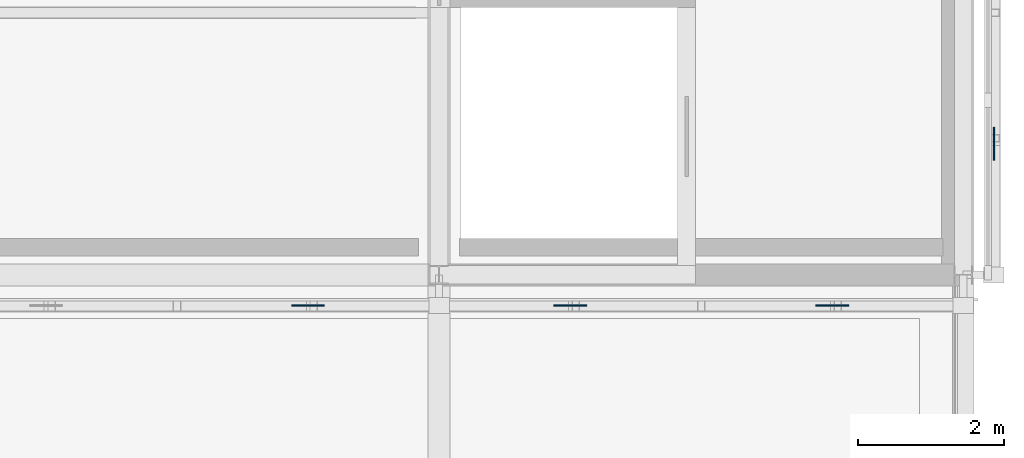
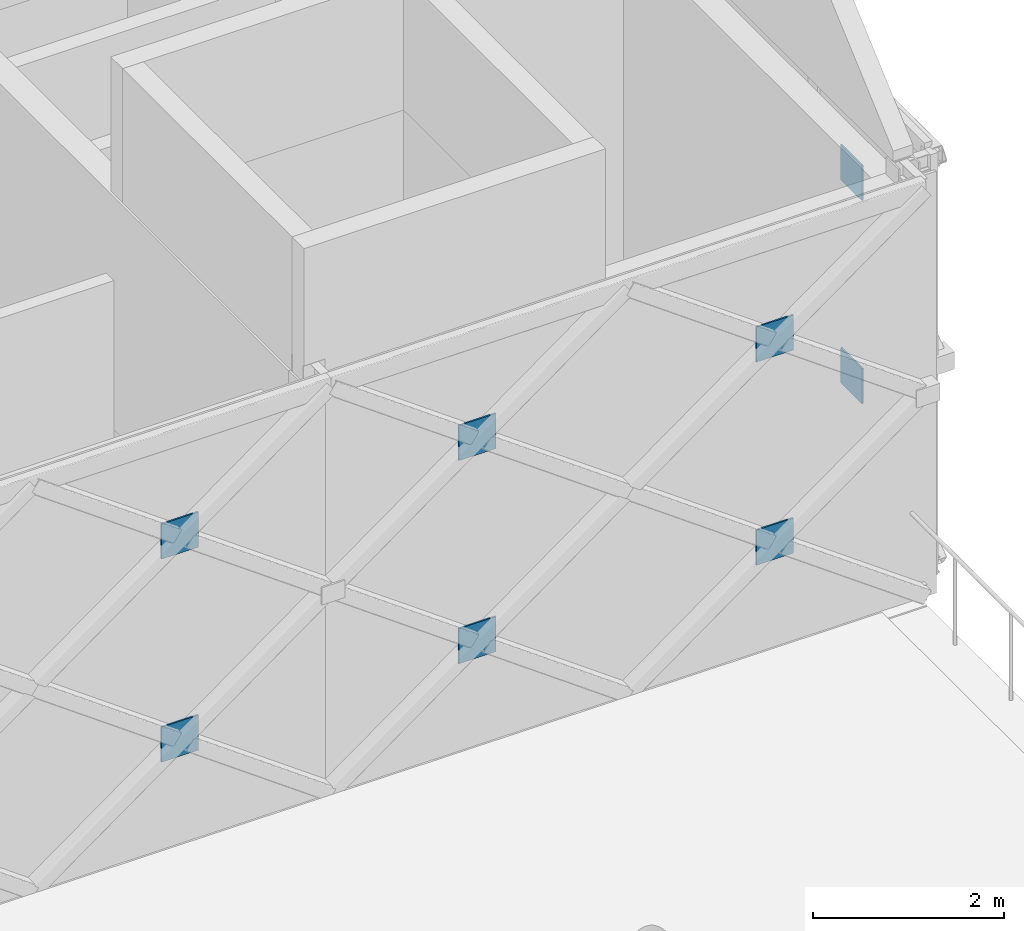
# One storey, part 22 of 31: 8 plates.
"""IFC4 building model written with IfcOpenShell, lengths in metres."""

from ifc_helpers import new_model, si_unit, direction, frame, origin, origin_2d, place, context, subcontext, project, spatial, rectangle, extrude, material, layer, layer_set, type_object, element, save


model = new_model("IFC4")

# Units and contexts
model_context = context("Model", 3, precision=1e-05, world=origin(), true_north=direction((0.0, 1.0)))
body_context = subcontext(model_context, "Body", "Model", "MODEL_VIEW")
ifc_project = project(units=[si_unit("LENGTHUNIT", "METRE"), si_unit("AREAUNIT", "SQUARE_METRE"), si_unit("VOLUMEUNIT", "CUBIC_METRE"), si_unit("PLANEANGLEUNIT", "RADIAN"), si_unit("MASSUNIT", "GRAM", prefix="KILO")], contexts=[model_context])

# Site, building, storey
site_placement = place(None, origin())
site = spatial("IfcSite", under=ifc_project, at=site_placement, CompositionType="ELEMENT")
building_placement = place(site_placement, origin())
building = spatial("IfcBuilding", under=site, at=building_placement, Name="Zlatovets Crest Museum", CompositionType="ELEMENT")
storey_placement = place(building_placement, frame((0.0, 0.0, 25.199951171875)))
storey = spatial("IfcBuildingStorey", under=building, at=storey_placement, Name="L05", CompositionType="ELEMENT", Elevation=25.199951171875)

# Plates
ifc_material = material(Name="Structural steel S355J2", Category="steel")
ifc_layer = layer(ifc_material, 0.02001953125)
ifc_layer_set = layer_set([ifc_layer], Name="Structural steel S355J2")
plate_type = type_object("IfcPlateType", Name="Gusset_GP-04", PredefinedType="USERDEFINED", material=ifc_layer_set)
for number, where, z_axis, x_axis, name in (
    (1, (99.0, 93.179931640625, 1.17529296875), (0.0, 0.0, 1.0), (1.0, 0.0, 0.0), "X-Brace Crossing Node Gusset Plate GP-04"),
    (2, (99.0, 93.179931640625, 3.77490234375), (0.0, 0.0, 1.0), (1.0, 0.0, 0.0), "X-Brace Crossing Node Gusset Plate GP-04"),
    (3, (102.60009765625, 93.179931640625, 1.17529296875), (0.0, 0.0, 1.0), (1.0, 0.0, 0.0), "X-Brace Crossing Node Gusset Plate GP-04"),
    (4, (106.199951171875, 93.179931640625, 1.17529296875), (0.0, 0.0, 1.0), (1.0, 0.0, 0.0), "X-Brace Crossing Node Gusset Plate GP-04"),
    (5, (102.60009765625, 93.179931640625, 3.77490234375), (0.0, 0.0, 1.0), (1.0, 0.0, 0.0), "X-Brace Crossing Node Gusset Plate GP-04"),
    (6, (106.199951171875, 93.179931640625, 3.77490234375), (0.0, 0.0, 1.0), (1.0, 0.0, 0.0), "X-Brace Crossing Node Gusset Plate GP-04"),
):
    element("IfcPlate", number, at=place(storey_placement, frame(where, z_axis=z_axis, x_axis=x_axis)), inside=storey, type_object=plate_type, Name=name, ObjectType="GUSSET", PredefinedType="USERDEFINED", context=body_context, shape_type="SweptSolid", body=[
        extrude(rectangle(XDim=0.449951171875, YDim=0.02001953125, at=origin_2d()), origin(), (0.0, 0.0, 1.0), 0.449951171875),
    ])
for number, where, z_axis, x_axis, name in (
    (7, (108.419921875, 95.39990234375, 1.17529296875), (0.0, 0.0, 1.0), (1.0, 0.0, 0.0), "X-Brace Crossing Node Gusset Plate GP-04"),
    (8, (108.419921875, 95.39990234375, 3.77490234375), (0.0, 0.0, 1.0), (1.0, 0.0, 0.0), "X-Brace Crossing Node Gusset Plate GP-04"),
):
    element("IfcPlate", number, at=place(storey_placement, frame(where, z_axis=z_axis, x_axis=x_axis)), inside=storey, type_object=plate_type, Name=name, ObjectType="GUSSET", PredefinedType="USERDEFINED", context=body_context, shape_type="SweptSolid", body=[
        extrude(rectangle(XDim=0.02001953125, YDim=0.449951171875, at=origin_2d()), origin(), (0.0, 0.0, 1.0), 0.449951171875),
    ])

save(model, "model.ifc")
